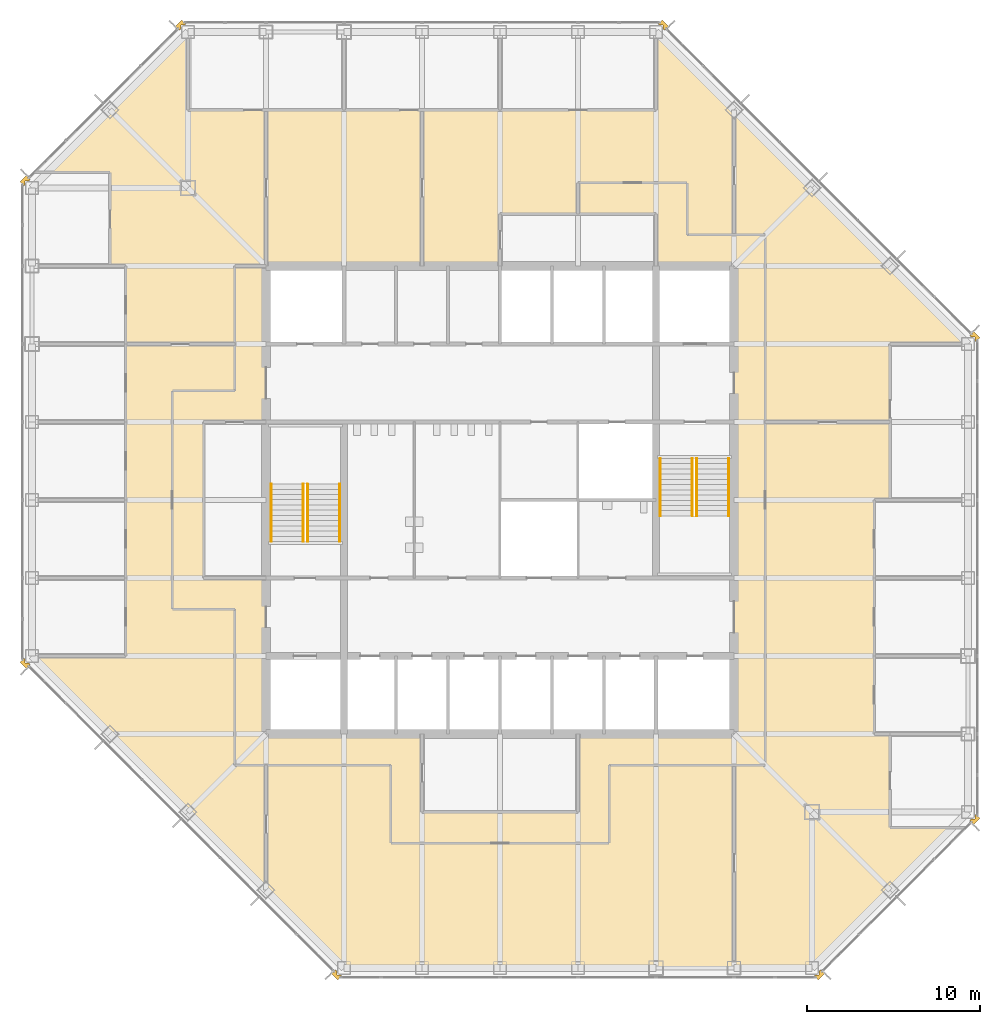
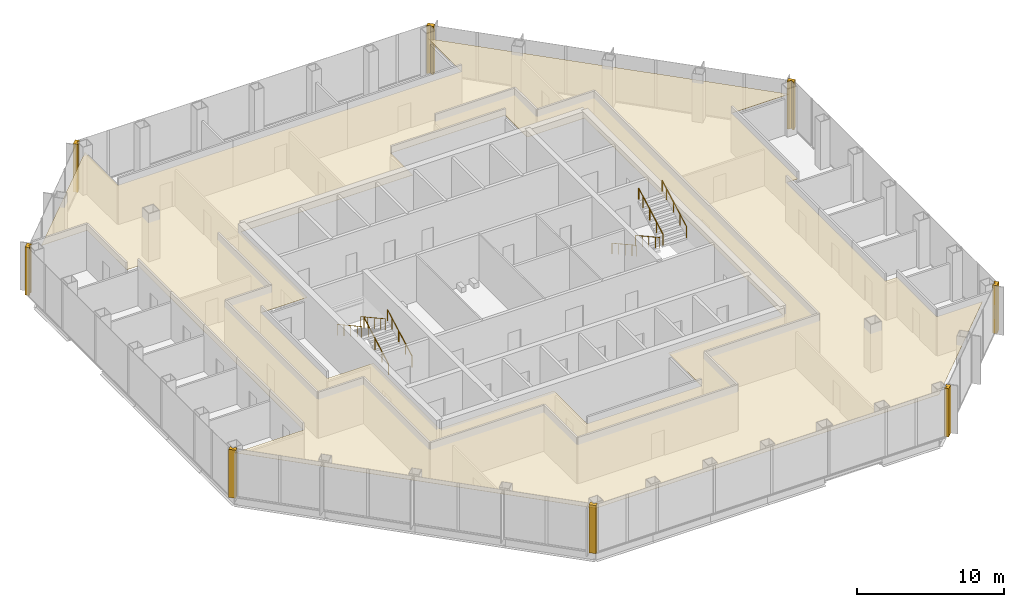
# One storey, part 12 of 13: 9 coverings, 8 railings.
"""IFC4 building model written with IfcOpenShell, lengths in metres."""

from ifc_helpers import new_model, si_unit, direction, frame, origin, origin_2d, place, context, subcontext, project, spatial, polyline, circle, outline, extrude, material, layer, layer_set, type_object, element, save


model = new_model("IFC4")

# Units and contexts
model_context = context("Model", 3, precision=1e-05, world=origin(), true_north=direction((0.0, 1.0)))
body_context = subcontext(model_context, "Body", "Model", "MODEL_VIEW")
ifc_project = project(units=[si_unit("LENGTHUNIT", "METRE"), si_unit("AREAUNIT", "SQUARE_METRE"), si_unit("VOLUMEUNIT", "CUBIC_METRE"), si_unit("PLANEANGLEUNIT", "RADIAN"), si_unit("MASSUNIT", "GRAM", prefix="KILO")], contexts=[model_context])

# Site, building, storey
site_placement = place(None, origin())
site = spatial("IfcSite", under=ifc_project, at=site_placement, CompositionType="ELEMENT")
building_placement = place(site_placement, origin())
building = spatial("IfcBuilding", under=site, at=building_placement, Name="Corais Broadcast Tower", CompositionType="ELEMENT")
storey_placement = place(building_placement, frame((0.0, 0.0, 191.60009765625)))
storey = spatial("IfcBuildingStorey", under=building, at=storey_placement, Name="L44", CompositionType="ELEMENT", Elevation=191.60009765625)

# Railings
ifc_material_1 = material(Name="Stainless steel handrail", Category="steel")
railing_type = type_object("IfcRailingType", Name="Handrail 920", PredefinedType="HANDRAIL", material=ifc_material_1)
for number, where, name in (
    (1, (17.75, 24.60009765625, 0.16650390625), "HR1 L44"),
    (2, (15.89990234375, 24.60009765625, 0.16650390625), "HR1 L44"),
):
    element("IfcRailing", number, at=place(storey_placement, frame(where)), inside=storey, type_object=railing_type, Name=name, PredefinedType="HANDRAIL", context=body_context, shape_type="SweptSolid", body=[
        extrude(circle(Radius=0.02392578125, at=origin_2d()), frame((0.0, 0.0, 0.89599609375), z_axis=(0.0, 0.875504475178, 0.483210010185), x_axis=(-1.0, 0.0, 0.0)), (0.0, 0.0, 1.0), 3.79443359375),
        extrude(circle(Radius=0.02099609375, at=origin_2d()), origin(), (0.0, 0.0, 1.0), 0.871826171875),
        extrude(circle(Radius=0.02099609375, at=origin_2d()), frame((0.0, 0.906005859375, 0.5)), (0.0, 0.0, 1.0), 0.871826171875),
        extrude(circle(Radius=0.02099609375, at=origin_2d()), frame((0.0, 1.81201171875, 1.0)), (0.0, 0.0, 1.0), 0.871826171875),
        extrude(circle(Radius=0.02099609375, at=origin_2d()), frame((0.0, 2.718017578125, 1.500244140625)), (0.0, 0.0, 1.0), 0.871826171875),
        extrude(circle(Radius=0.02099609375, at=origin_2d()), frame((0.0, 3.322021484375, 1.83349609375)), (0.0, 0.0, 1.0), 0.871826171875),
    ])
for number, where, name in (
    (3, (13.800048828125, 27.922119140625, 2.16650390625), "HR1 L44"),
    (4, (15.64990234375, 27.922119140625, 2.16650390625), "HR1 L44"),
    (5, (36.25, 29.39990234375, 0.16650390625), "HR1 L44"),
    (6, (38.10009765625, 29.39990234375, 0.16650390625), "HR1 L44"),
):
    element("IfcRailing", number, at=place(storey_placement, frame(where)), inside=storey, type_object=railing_type, Name=name, PredefinedType="HANDRAIL", context=body_context, shape_type="SweptSolid", body=[
        extrude(circle(Radius=0.02392578125, at=origin_2d()), frame((0.0, 0.0, 0.89599609375), z_axis=(0.0, -0.875504475178, 0.483210010185), x_axis=(1.0, 0.0, 0.0)), (0.0, 0.0, 1.0), 3.79443359375),
        extrude(circle(Radius=0.02099609375, at=origin_2d()), origin(), (0.0, 0.0, 1.0), 0.871826171875),
        extrude(circle(Radius=0.02099609375, at=origin_2d()), frame((0.0, -0.906005859375, 0.5)), (0.0, 0.0, 1.0), 0.871826171875),
        extrude(circle(Radius=0.02099609375, at=origin_2d()), frame((0.0, -1.81201171875, 1.0)), (0.0, 0.0, 1.0), 0.871826171875),
        extrude(circle(Radius=0.02099609375, at=origin_2d()), frame((0.0, -2.718017578125, 1.500244140625)), (0.0, 0.0, 1.0), 0.871826171875),
        extrude(circle(Radius=0.02099609375, at=origin_2d()), frame((0.0, -3.322021484375, 1.83349609375)), (0.0, 0.0, 1.0), 0.871826171875),
    ])
for number, where, name in (
    (7, (40.199951171875, 26.077880859375, 2.16650390625), "HR1 L44"),
    (8, (38.35009765625, 26.077880859375, 2.16650390625), "HR1 L44"),
):
    element("IfcRailing", number, at=place(storey_placement, frame(where)), inside=storey, type_object=railing_type, Name=name, PredefinedType="HANDRAIL", context=body_context, shape_type="SweptSolid", body=[
        extrude(circle(Radius=0.02392578125, at=origin_2d()), frame((0.0, 0.0, 0.89599609375), z_axis=(0.0, 0.875504475178, 0.483210010185), x_axis=(-1.0, 0.0, 0.0)), (0.0, 0.0, 1.0), 3.79443359375),
        extrude(circle(Radius=0.02099609375, at=origin_2d()), origin(), (0.0, 0.0, 1.0), 0.871826171875),
        extrude(circle(Radius=0.02099609375, at=origin_2d()), frame((0.0, 0.906005859375, 0.5)), (0.0, 0.0, 1.0), 0.871826171875),
        extrude(circle(Radius=0.02099609375, at=origin_2d()), frame((0.0, 1.81201171875, 1.0)), (0.0, 0.0, 1.0), 0.871826171875),
        extrude(circle(Radius=0.02099609375, at=origin_2d()), frame((0.0, 2.718017578125, 1.500244140625)), (0.0, 0.0, 1.0), 0.871826171875),
        extrude(circle(Radius=0.02099609375, at=origin_2d()), frame((0.0, 3.322021484375, 1.83349609375)), (0.0, 0.0, 1.0), 0.871826171875),
    ])

# Coverings
ifc_material_2 = material(Name="Granite stone cladding", Category="masonry")
ifc_layer_1 = layer(ifc_material_2, 0.324951171875)
ifc_layer_set_1 = layer_set([ifc_layer_1], Name="Granite stone cladding")
covering_type_1 = type_object("IfcCoveringType", Name="Stone corner pier cladding 500x325", PredefinedType="CLADDING", material=ifc_layer_set_1)
covering_1_placement = place(storey_placement, origin())
element("IfcCovering", 9, at=covering_1_placement, inside=storey, type_object=covering_type_1, Name="SP1 stone corner pier L44", PredefinedType="CLADDING", context=body_context, shape_type="SweptSolid", body=[
    extrude(outline(polyline([(17.860595703125, -0.461669921875), (17.799072265625, -0.39990234375), (17.60009765625, -0.39990234375), (17.60009765625, -0.200927734375), (17.507080078125, -0.108154296875), (17.277099609375, -0.337890625), (17.630859375, -0.69140625), (17.860595703125, -0.461669921875)])), origin(), (0.0, 0.0, 1.0), 4.0),
])
covering_2_placement = place(storey_placement, origin())
element("IfcCovering", 10, at=covering_2_placement, inside=storey, type_object=covering_type_1, Name="SP1 stone corner pier L44", PredefinedType="CLADDING", context=body_context, shape_type="SweptSolid", body=[
    extrude(outline(polyline([(-0.39990234375, 17.799072265625), (-0.461669921875, 17.860595703125), (-0.69140625, 17.630859375), (-0.337890625, 17.277099609375), (-0.108154296875, 17.507080078125), (-0.200927734375, 17.60009765625), (-0.39990234375, 17.60009765625), (-0.39990234375, 17.799072265625)])), origin(), (0.0, 0.0, 1.0), 4.0),
])
covering_3_placement = place(storey_placement, origin())
element("IfcCovering", 11, at=covering_3_placement, inside=storey, type_object=covering_type_1, Name="SP1 stone corner pier L44", PredefinedType="CLADDING", context=body_context, shape_type="SweptSolid", body=[
    extrude(outline(polyline([(-0.461669921875, 45.139404296875), (-0.39990234375, 45.200927734375), (-0.39990234375, 45.39990234375), (-0.200927734375, 45.39990234375), (-0.108154296875, 45.492919921875), (-0.337890625, 45.722900390625), (-0.69140625, 45.369140625), (-0.461669921875, 45.139404296875)])), origin(), (0.0, 0.0, 1.0), 4.0),
])
covering_4_placement = place(storey_placement, origin())
element("IfcCovering", 12, at=covering_4_placement, inside=storey, type_object=covering_type_1, Name="SP1 stone corner pier L44", PredefinedType="CLADDING", context=body_context, shape_type="SweptSolid", body=[
    extrude(outline(polyline([(8.799072265625, 54.39990234375), (8.860595703125, 54.461669921875), (8.630859375, 54.69140625), (8.277099609375, 54.337890625), (8.507080078125, 54.108154296875), (8.60009765625, 54.200927734375), (8.60009765625, 54.39990234375), (8.799072265625, 54.39990234375)])), origin(), (0.0, 0.0, 1.0), 4.0),
])
covering_5_placement = place(storey_placement, origin())
element("IfcCovering", 13, at=covering_5_placement, inside=storey, type_object=covering_type_1, Name="SP1 stone corner pier L44", PredefinedType="CLADDING", context=body_context, shape_type="SweptSolid", body=[
    extrude(outline(polyline([(36.139404296875, 54.461669921875), (36.200927734375, 54.39990234375), (36.39990234375, 54.39990234375), (36.39990234375, 54.200927734375), (36.492919921875, 54.108154296875), (36.722900390625, 54.337890625), (36.369140625, 54.69140625), (36.139404296875, 54.461669921875)])), origin(), (0.0, 0.0, 1.0), 4.0),
])
covering_6_placement = place(storey_placement, origin())
element("IfcCovering", 14, at=covering_6_placement, inside=storey, type_object=covering_type_1, Name="SP1 stone corner pier L44", PredefinedType="CLADDING", context=body_context, shape_type="SweptSolid", body=[
    extrude(outline(polyline([(54.39990234375, 36.200927734375), (54.461669921875, 36.139404296875), (54.69140625, 36.369140625), (54.337890625, 36.722900390625), (54.108154296875, 36.492919921875), (54.200927734375, 36.39990234375), (54.39990234375, 36.39990234375), (54.39990234375, 36.200927734375)])), origin(), (0.0, 0.0, 1.0), 4.0),
])
covering_7_placement = place(storey_placement, origin())
element("IfcCovering", 15, at=covering_7_placement, inside=storey, type_object=covering_type_1, Name="SP1 stone corner pier L44", PredefinedType="CLADDING", context=body_context, shape_type="SweptSolid", body=[
    extrude(outline(polyline([(54.461669921875, 8.860595703125), (54.39990234375, 8.799072265625), (54.39990234375, 8.60009765625), (54.200927734375, 8.60009765625), (54.108154296875, 8.507080078125), (54.337890625, 8.277099609375), (54.69140625, 8.630859375), (54.461669921875, 8.860595703125)])), origin(), (0.0, 0.0, 1.0), 4.0),
])
covering_8_placement = place(storey_placement, origin())
element("IfcCovering", 16, at=covering_8_placement, inside=storey, type_object=covering_type_1, Name="SP1 stone corner pier L44", PredefinedType="CLADDING", context=body_context, shape_type="SweptSolid", body=[
    extrude(outline(polyline([(45.200927734375, -0.39990234375), (45.139404296875, -0.461669921875), (45.369140625, -0.69140625), (45.722900390625, -0.337890625), (45.492919921875, -0.108154296875), (45.39990234375, -0.200927734375), (45.39990234375, -0.39990234375), (45.200927734375, -0.39990234375)])), origin(), (0.0, 0.0, 1.0), 4.0),
])
ifc_material_3 = material(Name="Mineral fibre ceiling tile", Category="mineral")
ifc_layer_2 = layer(ifc_material_3, 0.02001953125)
ifc_layer_set_2 = layer_set([ifc_layer_2], Name="Mineral fibre ceiling tile")
covering_type_2 = type_object("IfcCoveringType", Name="Suspended ceiling", PredefinedType="CEILING", material=ifc_layer_set_2)
covering_9_placement = place(storey_placement, frame((0.0, 0.0, 3.219970703125)))
element("IfcCovering", 17, at=covering_9_placement, inside=storey, type_object=covering_type_2, Name="CE1 ceiling L44", PredefinedType="CEILING", context=body_context, shape_type="SweptSolid", body=[
    extrude(outline(polyline([(49.5, 27.0), (48.60009765625, 27.0), (48.60009765625, 13.5), (49.5, 13.5), (49.5, 8.10009765625), (53.10009765625, 8.10009765625), (45.0, 0.0), (18.0, 0.0), (13.501708984375, 4.498291015625), (13.50048828125, 4.49951171875), (13.499755859375, 4.500244140625), (0.0, 18.0), (5.39990234375, 18.0), (5.39990234375, 40.5), (4.5, 40.5), (4.5, 45.89990234375), (0.89990234375, 45.89990234375), (9.0, 54.0), (9.0, 49.5), (36.0, 49.5), (36.0, 54.0), (54.0, 36.0), (49.5, 36.0), (49.5, 27.0)]), holes=[polyline([(13.5, 31.5), (9.89990234375, 31.5), (9.89990234375, 22.5), (13.5, 22.5), (13.5, 13.5), (22.5, 13.5), (22.5, 9.0), (31.5, 9.0), (31.5, 13.5), (40.5, 13.5), (40.5, 40.5), (36.0, 40.5), (36.0, 43.5), (27.0, 43.5), (27.0, 40.5), (13.5, 40.5), (13.5, 31.5)])]), origin(), (0.0, 0.0, 1.0), 0.02001953125),
])

save(model, "model.ifc")
